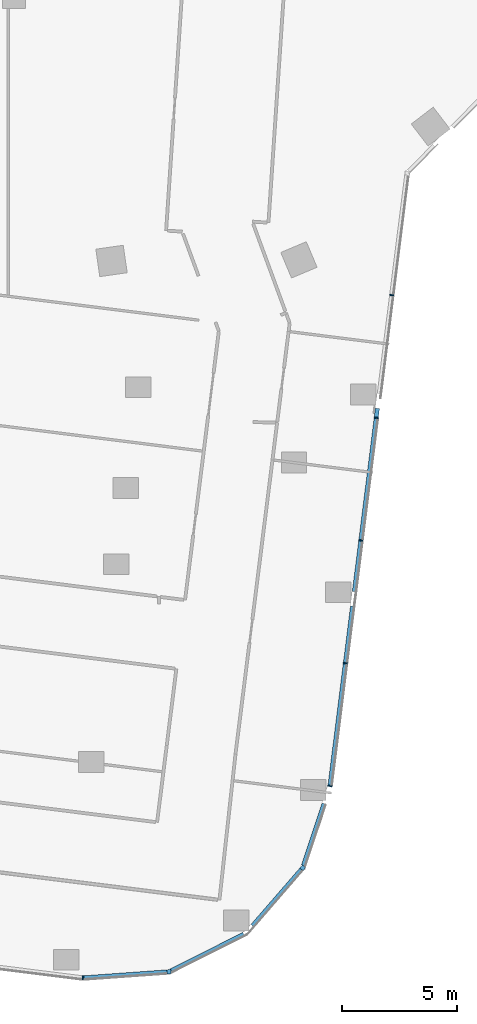
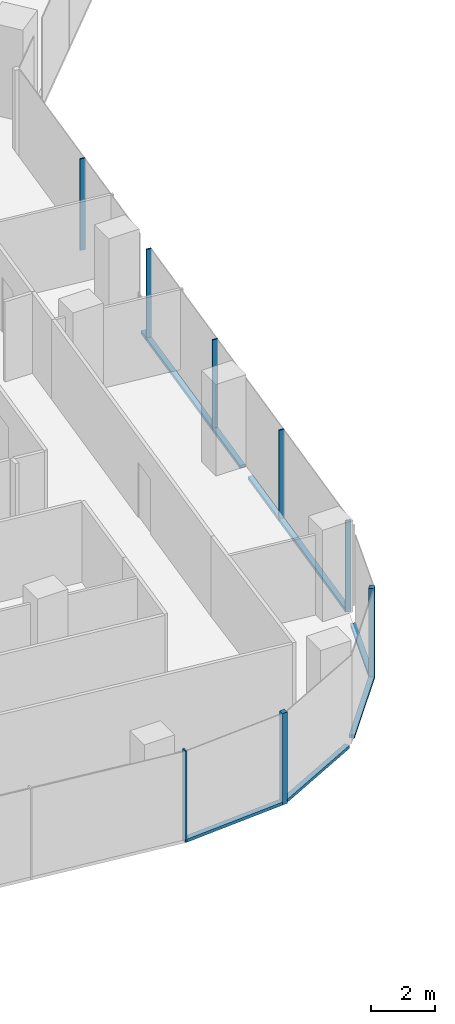
# One storey, part 4 of 27: 14 members, 6 elements without a shape of their own.
"""IFC4 building model written with IfcOpenShell, lengths in metres."""

from ifc_helpers import new_model, si_unit, direction, frame, origin, origin_2d, place, context, subcontext, project, spatial, rectangle, extrude, material, material_profile, profile_set, type_object, element, aggregate, save


model = new_model("IFC4")

# Units and contexts
model_context = context("Model", 3, precision=1e-05, world=origin(), true_north=direction((0.0, 1.0)))
body_context = subcontext(model_context, "Body", "Model", "MODEL_VIEW")
ifc_project = project(units=[si_unit("LENGTHUNIT", "METRE"), si_unit("AREAUNIT", "SQUARE_METRE"), si_unit("VOLUMEUNIT", "CUBIC_METRE"), si_unit("PLANEANGLEUNIT", "RADIAN"), si_unit("MASSUNIT", "GRAM", prefix="KILO")], contexts=[model_context])

# Site, building, storey
site_placement = place(None, origin())
site = spatial("IfcSite", under=ifc_project, at=site_placement, CompositionType="ELEMENT")
building_placement = place(site_placement, origin())
building = spatial("IfcBuilding", under=site, at=building_placement, Name="Orlundy Tower", CompositionType="ELEMENT")
storey_placement = place(building_placement, frame((0.0, 0.0, 195.60009765625)))
storey = spatial("IfcBuildingStorey", under=building, at=storey_placement, Name="L51", CompositionType="ELEMENT", Elevation=195.60009765625)

# Curtain wall, member
ifc_material_1 = material(Name="Aluminium bronze anodised", Category="aluminium")
curtain_wall_type = type_object("IfcCurtainWallType", Name="CW1 wall", PredefinedType="NOTDEFINED", material=ifc_material_1)
curtain_wall_1_placement = place(storey_placement, origin())
curtain_wall_1 = element("IfcCurtainWall", 1, at=curtain_wall_1_placement, inside=storey, type_object=curtain_wall_type, Name="CW1 run 020", PredefinedType="NOTDEFINED")
ifc_material_2 = material(Name="Aluminium bronze anodised", Category="aluminium")
ifc_material_profile_1 = material_profile(ifc_material_2, rectangle(XDim=0.179931640625, YDim=0.179931640625, at=origin_2d()), Name="CW1 corner post 180x180")
ifc_profile_set_1 = profile_set([ifc_material_profile_1], Name="Aluminium bronze anodised")
member_type_1 = type_object("IfcMemberType", Name="CW1 corner post 180x180", PredefinedType="MULLION", material=ifc_profile_set_1)
member_1_placement = place(storey_placement, frame((12.5146484375, -55.66650390625, -0.420166015625), z_axis=(0.0, 0.0, 1.0), x_axis=(0.755626772005, -0.655002428568, 0.0)))
member_1 = element("IfcMember", 2, at=member_1_placement, type_object=member_type_1, Name="CW1 mullion 50", PredefinedType="MULLION", context=body_context, shape_type="SweptSolid", body=[
    extrude(rectangle(XDim=0.179931640625, YDim=0.179931640625, at=origin_2d()), origin(), (0.0, 0.0, 1.0), 3.5),
])

curtain_wall_2_placement = place(storey_placement, origin())
curtain_wall_2 = element("IfcCurtainWall", 3, at=curtain_wall_2_placement, inside=storey, type_object=curtain_wall_type, Name="CW1 run 022", PredefinedType="NOTDEFINED")
member_2_placement = place(storey_placement, frame((6.71630859375, -60.16943359375, -0.420166015625), z_axis=(0.0, 0.0, 1.0), x_axis=(0.071227876188, -0.997460069203, 0.0)))
member_2 = element("IfcMember", 4, at=member_2_placement, type_object=member_type_1, Name="CW1 mullion 52", PredefinedType="MULLION", context=body_context, shape_type="SweptSolid", body=[
    extrude(rectangle(XDim=0.179931640625, YDim=0.179931640625, at=origin_2d()), origin(), (0.0, 0.0, 1.0), 3.5),
])

# Curtain wall, members
curtain_wall_3_placement = place(storey_placement, origin())
curtain_wall_3 = element("IfcCurtainWall", 5, at=curtain_wall_3_placement, inside=storey, type_object=curtain_wall_type, Name="CW1 run 018", PredefinedType="NOTDEFINED")
ifc_material_3 = material(Name="Aluminium bronze anodised", Category="aluminium")
ifc_material_profile_2 = material_profile(ifc_material_3, rectangle(XDim=0.179931640625, YDim=0.050048828125, at=origin_2d()), Name="CW1 mullion 50x180")
ifc_profile_set_2 = profile_set([ifc_material_profile_2], Name="Aluminium bronze anodised")
member_type_2 = type_object("IfcMemberType", Name="CW1 mullion 50x180", PredefinedType="MULLION", material=ifc_profile_set_2)
member_3_placement = place(storey_placement, frame((16.3681640625, -30.85595703125, -0.420166015625), z_axis=(0.0, 0.0, 1.0), x_axis=(0.992189164773, -0.124742379758, 0.0)))
member_3 = element("IfcMember", 6, at=member_3_placement, type_object=member_type_2, Name="CW1 mullion 45", PredefinedType="MULLION", context=body_context, shape_type="SweptSolid", body=[
    extrude(rectangle(XDim=0.179931640625, YDim=0.050048828125, at=origin_2d()), origin(), (0.0, 0.0, 1.0), 3.5),
])
member_4_placement = place(storey_placement, frame((15.699951171875, -36.1708984375, -0.420166015625), z_axis=(0.0, 0.0, 1.0), x_axis=(0.992189164773, -0.124742379758, 0.0)))
member_4 = element("IfcMember", 7, at=member_4_placement, type_object=member_type_2, Name="CW1 mullion 46", PredefinedType="MULLION", context=body_context, shape_type="SweptSolid", body=[
    extrude(rectangle(XDim=0.179931640625, YDim=0.050048828125, at=origin_2d()), origin(), (0.0, 0.0, 1.0), 3.5),
])
member_5_placement = place(storey_placement, frame((15.03173828125, -41.485595703125, -0.420166015625), z_axis=(0.0, 0.0, 1.0), x_axis=(0.992189164773, -0.124742379758, 0.0)))
member_5 = element("IfcMember", 8, at=member_5_placement, type_object=member_type_2, Name="CW1 mullion 47", PredefinedType="MULLION", context=body_context, shape_type="SweptSolid", body=[
    extrude(rectangle(XDim=0.179931640625, YDim=0.050048828125, at=origin_2d()), origin(), (0.0, 0.0, 1.0), 3.5),
])
member_6_placement = place(storey_placement, frame((14.363525390625, -46.800537109375, -0.420166015625), z_axis=(0.0, 0.0, 1.0), x_axis=(0.992189164773, -0.124742379758, 0.0)))
member_6 = element("IfcMember", 9, at=member_6_placement, type_object=member_type_2, Name="CW1 mullion 48", PredefinedType="MULLION", context=body_context, shape_type="SweptSolid", body=[
    extrude(rectangle(XDim=0.179931640625, YDim=0.050048828125, at=origin_2d()), origin(), (0.0, 0.0, 1.0), 3.5),
])

# Curtain wall, member
curtain_wall_4_placement = place(storey_placement, origin())
curtain_wall_4 = element("IfcCurtainWall", 10, at=curtain_wall_4_placement, inside=storey, type_object=curtain_wall_type, Name="CW1 run 019", PredefinedType="NOTDEFINED")
member_7_placement = place(storey_placement, frame((13.694091796875, -52.1240234375, -0.420166015625), z_axis=(0.0, 0.0, 1.0), x_axis=(0.975185541669, -0.22138915809, 0.0)))
member_7 = element("IfcMember", 11, at=member_7_placement, type_object=member_type_2, Name="CW1 mullion 49", PredefinedType="MULLION", context=body_context, shape_type="SweptSolid", body=[
    extrude(rectangle(XDim=0.179931640625, YDim=0.050048828125, at=origin_2d()), origin(), (0.0, 0.0, 1.0), 3.5),
])

curtain_wall_5_placement = place(storey_placement, origin())
curtain_wall_5 = element("IfcCurtainWall", 12, at=curtain_wall_5_placement, inside=storey, type_object=curtain_wall_type, Name="CW1 run 023", PredefinedType="NOTDEFINED")
member_8_placement = place(storey_placement, frame((2.99267578125, -60.435302734375, -0.420166015625), z_axis=(0.0, 0.0, 1.0), x_axis=(-0.026896328745, -0.999638228311, 0.0)))
member_8 = element("IfcMember", 13, at=member_8_placement, type_object=member_type_2, Name="CW1 mullion 53", PredefinedType="MULLION", context=body_context, shape_type="SweptSolid", body=[
    extrude(rectangle(XDim=0.179931640625, YDim=0.050048828125, at=origin_2d()), origin(), (0.0, 0.0, 1.0), 3.5),
])
aggregate(curtain_wall_5, [member_8])

# Member
ifc_material_4 = material(Name="Aluminium bronze anodised", Category="aluminium")
ifc_material_profile_3 = material_profile(ifc_material_4, rectangle(XDim=0.179931640625, YDim=0.1201171875, at=origin_2d()), Name="CW1 transom 180x120")
ifc_profile_set_3 = profile_set([ifc_material_profile_3], Name="Aluminium bronze anodised")
member_type_3 = type_object("IfcMemberType", Name="CW1 transom 180x120", PredefinedType="USERDEFINED", material=ifc_profile_set_3)
member_9_placement = place(storey_placement, frame((15.751220703125, -35.761962890625, -0.360107421875), z_axis=(-0.124745048398, -0.992188829256, 0.0), x_axis=(0.992188829256, -0.124745048398, 0.0)))
member_9 = element("IfcMember", 14, at=member_9_placement, type_object=member_type_3, Name="CW1 transom", ObjectType="TRANSOM", PredefinedType="USERDEFINED", context=body_context, shape_type="SweptSolid", body=[
    extrude(rectangle(XDim=0.179931640625, YDim=0.1201171875, at=origin_2d()), origin(), (0.0, 0.0, 1.0), 7.994873046875),
])

member_10_placement = place(storey_placement, frame((14.67431640625, -44.327880859375, -0.360107421875), z_axis=(-0.124744431686, -0.992188906793, 0.0), x_axis=(0.992188906793, -0.124744431686, 0.0)))
member_10 = element("IfcMember", 15, at=member_10_placement, type_object=member_type_3, Name="CW1 transom", ObjectType="TRANSOM", PredefinedType="USERDEFINED", context=body_context, shape_type="SweptSolid", body=[
    extrude(rectangle(XDim=0.179931640625, YDim=0.1201171875, at=origin_2d()), origin(), (0.0, 0.0, 1.0), 7.83251953125),
])

aggregate(curtain_wall_3, [member_3, member_4, member_5, member_6, member_9, member_10])

member_11_placement = place(storey_placement, frame((13.437744140625, -52.89404296875, -0.360107421875), z_axis=(-0.315916586295, -0.948786967925, 0.0), x_axis=(0.948786967925, -0.315916586295, 0.0)))
member_11 = element("IfcMember", 16, at=member_11_placement, type_object=member_type_3, Name="CW1 transom", ObjectType="TRANSOM", PredefinedType="USERDEFINED", context=body_context, shape_type="SweptSolid", body=[
    extrude(rectangle(XDim=0.179931640625, YDim=0.1201171875, at=origin_2d()), origin(), (0.0, 0.0, 1.0), 2.82470703125),
])

aggregate(curtain_wall_4, [member_7, member_11])

member_12_placement = place(storey_placement, frame((12.455810546875, -55.734375, -0.360107421875), z_axis=(-0.654962174083, -0.755661664054, 0.0), x_axis=(0.755661664054, -0.654962174083, 0.0)))
member_12 = element("IfcMember", 17, at=member_12_placement, type_object=member_type_3, Name="CW1 transom", ObjectType="TRANSOM", PredefinedType="USERDEFINED", context=body_context, shape_type="SweptSolid", body=[
    extrude(rectangle(XDim=0.179931640625, YDim=0.1201171875, at=origin_2d()), origin(), (0.0, 0.0, 1.0), 3.231689453125),
])

aggregate(curtain_wall_1, [member_1, member_12])

# Curtain wall, member
curtain_wall_6_placement = place(storey_placement, origin())
curtain_wall_6 = element("IfcCurtainWall", 18, at=curtain_wall_6_placement, inside=storey, type_object=curtain_wall_type, Name="CW1 run 021", PredefinedType="NOTDEFINED")
member_13_placement = place(storey_placement, frame((9.954345703125, -58.549072265625, -0.360107421875), z_axis=(-0.894260832401, -0.447546158103, 0.0), x_axis=(0.447546158103, -0.894260832401, 0.0)))
member_13 = element("IfcMember", 19, at=member_13_placement, type_object=member_type_3, Name="CW1 transom", ObjectType="TRANSOM", PredefinedType="USERDEFINED", context=body_context, shape_type="SweptSolid", body=[
    extrude(rectangle(XDim=0.179931640625, YDim=0.1201171875, at=origin_2d()), origin(), (0.0, 0.0, 1.0), 3.5234375),
])
aggregate(curtain_wall_6, [member_13])

# Member
member_14_placement = place(storey_placement, frame((6.62646484375, -60.176025390625, -0.360107421875), z_axis=(-0.997462808518, -0.071189505005, 0.0), x_axis=(0.071189505005, -0.997462808518, 0.0)))
member_14 = element("IfcMember", 20, at=member_14_placement, type_object=member_type_3, Name="CW1 transom", ObjectType="TRANSOM", PredefinedType="USERDEFINED", context=body_context, shape_type="SweptSolid", body=[
    extrude(rectangle(XDim=0.179931640625, YDim=0.1201171875, at=origin_2d()), origin(), (0.0, 0.0, 1.0), 3.6181640625),
])

aggregate(curtain_wall_2, [member_2, member_14])

save(model, "model.ifc")
